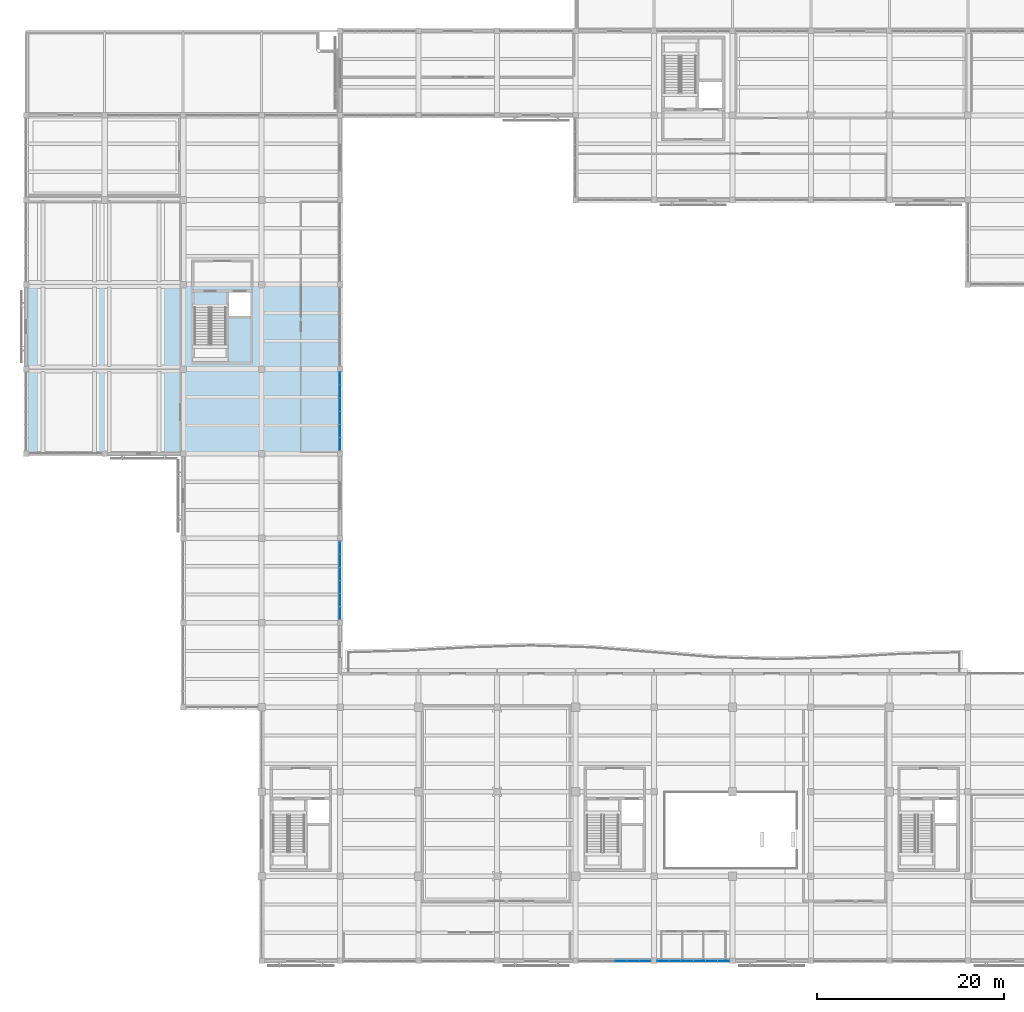
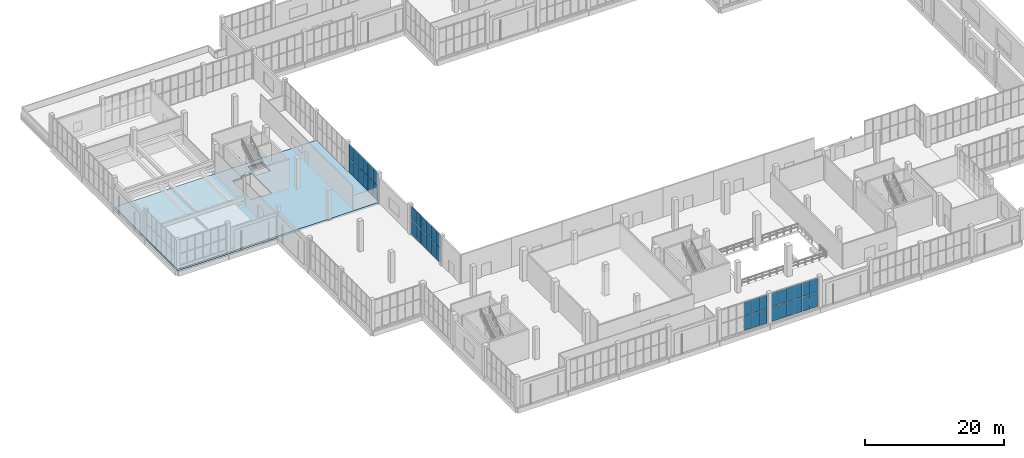
# One storey, part 97 of 132: 42 plates, 1 slab, 4 elements without a shape of their own.
"""IFC4 building model written with IfcOpenShell, lengths in metres."""

from ifc_helpers import new_model, si_unit, direction, frame, origin, origin_2d, place, context, subcontext, project, spatial, polyline, rectangle, outline, extrude, material, layer, layer_set, type_object, element, aggregate, save


model = new_model("IFC4")

# Units and contexts
model_context = context("Model", 3, precision=1e-05, world=origin(), true_north=direction((0.0, 1.0)))
body_context = subcontext(model_context, "Body", "Model", "MODEL_VIEW")
ifc_project = project(units=[si_unit("LENGTHUNIT", "METRE"), si_unit("AREAUNIT", "SQUARE_METRE"), si_unit("VOLUMEUNIT", "CUBIC_METRE"), si_unit("PLANEANGLEUNIT", "RADIAN"), si_unit("MASSUNIT", "GRAM", prefix="KILO")], contexts=[model_context])

# Site, building, storey
site_placement = place(None, origin())
site = spatial("IfcSite", under=ifc_project, at=site_placement, CompositionType="ELEMENT")
building_placement = place(site_placement, origin())
building = spatial("IfcBuilding", under=site, at=building_placement, Name="Khurvash Pelagic Aquarium", CompositionType="ELEMENT")
storey_placement = place(building_placement, frame((0.0, 0.0, 5.39990234375)))
storey = spatial("IfcBuildingStorey", under=building, at=storey_placement, Name="L01", CompositionType="ELEMENT", Elevation=5.39990234375)

# Curtain wall, plates
ifc_material_1 = material(Name="Anodised aluminium and low-E laminated glass", Category="aluminium")
curtain_wall_type_1 = type_object("IfcCurtainWallType", Name="CW-05", PredefinedType="USERDEFINED", material=ifc_material_1)
curtain_wall_1_placement = place(storey_placement, origin())
curtain_wall_1 = element("IfcCurtainWall", 1, at=curtain_wall_1_placement, inside=storey, type_object=curtain_wall_type_1, Name="L01 Facade Unitised Curtain Wall CW-05 0104", ObjectType="UNITISED CURTAIN WALL", PredefinedType="USERDEFINED")
ifc_material_2 = material(Name="Low-E laminated double glazing", Category="glass")
ifc_layer_1 = layer(ifc_material_2, 0.033935546875)
ifc_layer_set_1 = layer_set([ifc_layer_1], Name="Low-E laminated double glazing")
plate_type_1 = type_object("IfcPlateType", Name="CG-05", PredefinedType="CURTAIN_PANEL", material=ifc_layer_set_1)
plate_1_placement = place(storey_placement, frame((63.649169921875, 2.60009765625, 0.06005859375), z_axis=(0.0, 0.0, 1.0), x_axis=(1.0, 0.0, 0.0)))
plate_1 = element("IfcPlate", 2, at=plate_1_placement, type_object=plate_type_1, Name="CW-05 panel 4.1", PredefinedType="CURTAIN_PANEL", context=body_context, shape_type="SweptSolid", body=[
    extrude(rectangle(XDim=1.23828125, YDim=0.033935546875, at=origin_2d()), origin(), (0.0, 0.0, 1.0), 2.56201171875),
])
plate_2_placement = place(storey_placement, frame((63.649169921875, 2.60009765625, 2.68212890625), z_axis=(0.0, 0.0, 1.0), x_axis=(1.0, 0.0, 0.0)))
plate_2 = element("IfcPlate", 3, at=plate_2_placement, type_object=plate_type_1, Name="CW-05 panel 4.2", PredefinedType="CURTAIN_PANEL", context=body_context, shape_type="SweptSolid", body=[
    extrude(rectangle(XDim=1.23828125, YDim=0.033935546875, at=origin_2d()), origin(), (0.0, 0.0, 1.0), 2.35791015625),
])
plate_3_placement = place(storey_placement, frame((64.947509765625, 2.60009765625, 0.06005859375), z_axis=(0.0, 0.0, 1.0), x_axis=(1.0, 0.0, 0.0)))
plate_3 = element("IfcPlate", 4, at=plate_3_placement, type_object=plate_type_1, Name="CW-05 panel 5.1", PredefinedType="CURTAIN_PANEL", context=body_context, shape_type="SweptSolid", body=[
    extrude(rectangle(XDim=1.23828125, YDim=0.033935546875, at=origin_2d()), origin(), (0.0, 0.0, 1.0), 2.56201171875),
])
plate_4_placement = place(storey_placement, frame((64.947509765625, 2.60009765625, 2.68212890625), z_axis=(0.0, 0.0, 1.0), x_axis=(1.0, 0.0, 0.0)))
plate_4 = element("IfcPlate", 5, at=plate_4_placement, type_object=plate_type_1, Name="CW-05 panel 5.2", PredefinedType="CURTAIN_PANEL", context=body_context, shape_type="SweptSolid", body=[
    extrude(rectangle(XDim=1.23828125, YDim=0.033935546875, at=origin_2d()), origin(), (0.0, 0.0, 1.0), 2.35791015625),
])
plate_5_placement = place(storey_placement, frame((66.230712890625, 2.60009765625, 0.06005859375), z_axis=(0.0, 0.0, 1.0), x_axis=(1.0, 0.0, 0.0)))
plate_5 = element("IfcPlate", 6, at=plate_5_placement, type_object=plate_type_1, Name="CW-05 panel 6.1", PredefinedType="CURTAIN_PANEL", context=body_context, shape_type="SweptSolid", body=[
    extrude(rectangle(XDim=1.208251953125, YDim=0.033935546875, at=origin_2d()), origin(), (0.0, 0.0, 1.0), 2.56201171875),
])
plate_6_placement = place(storey_placement, frame((66.230712890625, 2.60009765625, 2.68212890625), z_axis=(0.0, 0.0, 1.0), x_axis=(1.0, 0.0, 0.0)))
plate_6 = element("IfcPlate", 7, at=plate_6_placement, type_object=plate_type_1, Name="CW-05 panel 6.2", PredefinedType="CURTAIN_PANEL", context=body_context, shape_type="SweptSolid", body=[
    extrude(rectangle(XDim=1.208251953125, YDim=0.033935546875, at=origin_2d()), origin(), (0.0, 0.0, 1.0), 2.35791015625),
])
aggregate(curtain_wall_1, [plate_1, plate_2, plate_3, plate_4, plate_5, plate_6])

curtain_wall_2_placement = place(storey_placement, origin())
curtain_wall_2 = element("IfcCurtainWall", 8, at=curtain_wall_2_placement, inside=storey, type_object=curtain_wall_type_1, Name="L01 Facade Unitised Curtain Wall CW-05 0105", ObjectType="UNITISED CURTAIN WALL", PredefinedType="USERDEFINED")
plate_7_placement = place(storey_placement, frame((68.169189453125, 2.60009765625, 0.06005859375), z_axis=(0.0, 0.0, 1.0), x_axis=(1.0, 0.0, 0.0)))
plate_7 = element("IfcPlate", 9, at=plate_7_placement, type_object=plate_type_1, Name="CW-05 panel 1.1", PredefinedType="CURTAIN_PANEL", context=body_context, shape_type="SweptSolid", body=[
    extrude(rectangle(XDim=1.208251953125, YDim=0.033935546875, at=origin_2d()), origin(), (0.0, 0.0, 1.0), 2.56201171875),
])
plate_8_placement = place(storey_placement, frame((68.169189453125, 2.60009765625, 2.68212890625), z_axis=(0.0, 0.0, 1.0), x_axis=(1.0, 0.0, 0.0)))
plate_8 = element("IfcPlate", 10, at=plate_8_placement, type_object=plate_type_1, Name="CW-05 panel 1.2", PredefinedType="CURTAIN_PANEL", context=body_context, shape_type="SweptSolid", body=[
    extrude(rectangle(XDim=1.208251953125, YDim=0.033935546875, at=origin_2d()), origin(), (0.0, 0.0, 1.0), 2.35791015625),
])
plate_9_placement = place(storey_placement, frame((69.452392578125, 2.60009765625, 0.06005859375), z_axis=(0.0, 0.0, 1.0), x_axis=(1.0, 0.0, 0.0)))
plate_9 = element("IfcPlate", 11, at=plate_9_placement, type_object=plate_type_1, Name="CW-05 panel 2.1", PredefinedType="CURTAIN_PANEL", context=body_context, shape_type="SweptSolid", body=[
    extrude(rectangle(XDim=1.23828125, YDim=0.033935546875, at=origin_2d()), origin(), (0.0, 0.0, 1.0), 2.56201171875),
])
plate_10_placement = place(storey_placement, frame((69.452392578125, 2.60009765625, 2.68212890625), z_axis=(0.0, 0.0, 1.0), x_axis=(1.0, 0.0, 0.0)))
plate_10 = element("IfcPlate", 12, at=plate_10_placement, type_object=plate_type_1, Name="CW-05 panel 2.2", PredefinedType="CURTAIN_PANEL", context=body_context, shape_type="SweptSolid", body=[
    extrude(rectangle(XDim=1.23828125, YDim=0.033935546875, at=origin_2d()), origin(), (0.0, 0.0, 1.0), 2.35791015625),
])
plate_11_placement = place(storey_placement, frame((70.750732421875, 2.60009765625, 0.06005859375), z_axis=(0.0, 0.0, 1.0), x_axis=(1.0, 0.0, 0.0)))
plate_11 = element("IfcPlate", 13, at=plate_11_placement, type_object=plate_type_1, Name="CW-05 panel 3.1", PredefinedType="CURTAIN_PANEL", context=body_context, shape_type="SweptSolid", body=[
    extrude(rectangle(XDim=1.23828125, YDim=0.033935546875, at=origin_2d()), origin(), (0.0, 0.0, 1.0), 2.56201171875),
])
plate_12_placement = place(storey_placement, frame((70.750732421875, 2.60009765625, 2.68212890625), z_axis=(0.0, 0.0, 1.0), x_axis=(1.0, 0.0, 0.0)))
plate_12 = element("IfcPlate", 14, at=plate_12_placement, type_object=plate_type_1, Name="CW-05 panel 3.2", PredefinedType="CURTAIN_PANEL", context=body_context, shape_type="SweptSolid", body=[
    extrude(rectangle(XDim=1.23828125, YDim=0.033935546875, at=origin_2d()), origin(), (0.0, 0.0, 1.0), 2.35791015625),
])
plate_13_placement = place(storey_placement, frame((72.049072265625, 2.60009765625, 0.06005859375), z_axis=(0.0, 0.0, 1.0), x_axis=(1.0, 0.0, 0.0)))
plate_13 = element("IfcPlate", 15, at=plate_13_placement, type_object=plate_type_1, Name="CW-05 panel 4.1", PredefinedType="CURTAIN_PANEL", context=body_context, shape_type="SweptSolid", body=[
    extrude(rectangle(XDim=1.23828125, YDim=0.033935546875, at=origin_2d()), origin(), (0.0, 0.0, 1.0), 2.56201171875),
])
plate_14_placement = place(storey_placement, frame((72.049072265625, 2.60009765625, 2.68212890625), z_axis=(0.0, 0.0, 1.0), x_axis=(1.0, 0.0, 0.0)))
plate_14 = element("IfcPlate", 16, at=plate_14_placement, type_object=plate_type_1, Name="CW-05 panel 4.2", PredefinedType="CURTAIN_PANEL", context=body_context, shape_type="SweptSolid", body=[
    extrude(rectangle(XDim=1.23828125, YDim=0.033935546875, at=origin_2d()), origin(), (0.0, 0.0, 1.0), 2.35791015625),
])
plate_15_placement = place(storey_placement, frame((73.347412109375, 2.60009765625, 0.06005859375), z_axis=(0.0, 0.0, 1.0), x_axis=(1.0, 0.0, 0.0)))
plate_15 = element("IfcPlate", 17, at=plate_15_placement, type_object=plate_type_1, Name="CW-05 panel 5.1", PredefinedType="CURTAIN_PANEL", context=body_context, shape_type="SweptSolid", body=[
    extrude(rectangle(XDim=1.23828125, YDim=0.033935546875, at=origin_2d()), origin(), (0.0, 0.0, 1.0), 2.56201171875),
])
plate_16_placement = place(storey_placement, frame((73.347412109375, 2.60009765625, 2.68212890625), z_axis=(0.0, 0.0, 1.0), x_axis=(1.0, 0.0, 0.0)))
plate_16 = element("IfcPlate", 18, at=plate_16_placement, type_object=plate_type_1, Name="CW-05 panel 5.2", PredefinedType="CURTAIN_PANEL", context=body_context, shape_type="SweptSolid", body=[
    extrude(rectangle(XDim=1.23828125, YDim=0.033935546875, at=origin_2d()), origin(), (0.0, 0.0, 1.0), 2.35791015625),
])
plate_17_placement = place(storey_placement, frame((74.630859375, 2.60009765625, 0.06005859375), z_axis=(0.0, 0.0, 1.0), x_axis=(1.0, 0.0, 0.0)))
plate_17 = element("IfcPlate", 19, at=plate_17_placement, type_object=plate_type_1, Name="CW-05 panel 6.1", PredefinedType="CURTAIN_PANEL", context=body_context, shape_type="SweptSolid", body=[
    extrude(rectangle(XDim=1.208251953125, YDim=0.033935546875, at=origin_2d()), origin(), (0.0, 0.0, 1.0), 2.56201171875),
])
plate_18_placement = place(storey_placement, frame((74.630859375, 2.60009765625, 2.68212890625), z_axis=(0.0, 0.0, 1.0), x_axis=(1.0, 0.0, 0.0)))
plate_18 = element("IfcPlate", 20, at=plate_18_placement, type_object=plate_type_1, Name="CW-05 panel 6.2", PredefinedType="CURTAIN_PANEL", context=body_context, shape_type="SweptSolid", body=[
    extrude(rectangle(XDim=1.208251953125, YDim=0.033935546875, at=origin_2d()), origin(), (0.0, 0.0, 1.0), 2.35791015625),
])
aggregate(curtain_wall_2, [plate_7, plate_8, plate_9, plate_10, plate_11, plate_12, plate_13, plate_14, plate_15, plate_16, plate_17, plate_18])

curtain_wall_type_2 = type_object("IfcCurtainWallType", Name="CW-06", PredefinedType="USERDEFINED", material=ifc_material_1)
curtain_wall_3_placement = place(storey_placement, origin())
curtain_wall_3 = element("IfcCurtainWall", 21, at=curtain_wall_3_placement, inside=storey, type_object=curtain_wall_type_2, Name="L01 Facade Unitised Curtain Wall CW-06 0131", ObjectType="UNITISED CURTAIN WALL", PredefinedType="USERDEFINED")
ifc_layer_2 = layer(ifc_material_2, 0.030029296875)
ifc_layer_set_2 = layer_set([ifc_layer_2], Name="Low-E laminated double glazing")
plate_type_2 = type_object("IfcPlateType", Name="CG-06", PredefinedType="CURTAIN_PANEL", material=ifc_layer_set_2)
plate_19_placement = place(storey_placement, frame((33.60009765625, 57.92333984375, 0.06005859375), z_axis=(0.0, 0.0, 1.0), x_axis=(0.0, 1.0, 0.0)))
plate_19 = element("IfcPlate", 22, at=plate_19_placement, type_object=plate_type_2, Name="CW-06 panel 1.1", PredefinedType="CURTAIN_PANEL", context=body_context, shape_type="SweptSolid", body=[
    extrude(rectangle(XDim=1.316650390625, YDim=0.030029296875, at=origin_2d()), origin(), (0.0, 0.0, 1.0), 2.56201171875),
])
plate_20_placement = place(storey_placement, frame((33.60009765625, 57.92333984375, 2.68212890625), z_axis=(0.0, 0.0, 1.0), x_axis=(0.0, 1.0, 0.0)))
plate_20 = element("IfcPlate", 23, at=plate_20_placement, type_object=plate_type_2, Name="CW-06 panel 1.2", PredefinedType="CURTAIN_PANEL", context=body_context, shape_type="SweptSolid", body=[
    extrude(rectangle(XDim=1.316650390625, YDim=0.030029296875, at=origin_2d()), origin(), (0.0, 0.0, 1.0), 2.35791015625),
])
plate_21_placement = place(storey_placement, frame((33.60009765625, 59.31494140625, 0.06005859375), z_axis=(0.0, 0.0, 1.0), x_axis=(0.0, 1.0, 0.0)))
plate_21 = element("IfcPlate", 24, at=plate_21_placement, type_object=plate_type_2, Name="CW-06 panel 2.1", PredefinedType="CURTAIN_PANEL", context=body_context, shape_type="SweptSolid", body=[
    extrude(rectangle(XDim=1.3466796875, YDim=0.030029296875, at=origin_2d()), origin(), (0.0, 0.0, 1.0), 2.56201171875),
])
plate_22_placement = place(storey_placement, frame((33.60009765625, 59.31494140625, 2.68212890625), z_axis=(0.0, 0.0, 1.0), x_axis=(0.0, 1.0, 0.0)))
plate_22 = element("IfcPlate", 25, at=plate_22_placement, type_object=plate_type_2, Name="CW-06 panel 2.2", PredefinedType="CURTAIN_PANEL", context=body_context, shape_type="SweptSolid", body=[
    extrude(rectangle(XDim=1.3466796875, YDim=0.030029296875, at=origin_2d()), origin(), (0.0, 0.0, 1.0), 2.35791015625),
])
plate_23_placement = place(storey_placement, frame((33.60009765625, 60.7216796875, 0.06005859375), z_axis=(0.0, 0.0, 1.0), x_axis=(0.0, 1.0, 0.0)))
plate_23 = element("IfcPlate", 26, at=plate_23_placement, type_object=plate_type_2, Name="CW-06 panel 3.1", PredefinedType="CURTAIN_PANEL", context=body_context, shape_type="SweptSolid", body=[
    extrude(rectangle(XDim=1.3466796875, YDim=0.030029296875, at=origin_2d()), origin(), (0.0, 0.0, 1.0), 2.56201171875),
])
plate_24_placement = place(storey_placement, frame((33.60009765625, 60.7216796875, 2.68212890625), z_axis=(0.0, 0.0, 1.0), x_axis=(0.0, 1.0, 0.0)))
plate_24 = element("IfcPlate", 27, at=plate_24_placement, type_object=plate_type_2, Name="CW-06 panel 3.2", PredefinedType="CURTAIN_PANEL", context=body_context, shape_type="SweptSolid", body=[
    extrude(rectangle(XDim=1.3466796875, YDim=0.030029296875, at=origin_2d()), origin(), (0.0, 0.0, 1.0), 2.35791015625),
])
plate_25_placement = place(storey_placement, frame((33.60009765625, 62.12841796875, 0.06005859375), z_axis=(0.0, 0.0, 1.0), x_axis=(0.0, 1.0, 0.0)))
plate_25 = element("IfcPlate", 28, at=plate_25_placement, type_object=plate_type_2, Name="CW-06 panel 4.1", PredefinedType="CURTAIN_PANEL", context=body_context, shape_type="SweptSolid", body=[
    extrude(rectangle(XDim=1.3466796875, YDim=0.030029296875, at=origin_2d()), origin(), (0.0, 0.0, 1.0), 2.56201171875),
])
plate_26_placement = place(storey_placement, frame((33.60009765625, 62.12841796875, 2.68212890625), z_axis=(0.0, 0.0, 1.0), x_axis=(0.0, 1.0, 0.0)))
plate_26 = element("IfcPlate", 29, at=plate_26_placement, type_object=plate_type_2, Name="CW-06 panel 4.2", PredefinedType="CURTAIN_PANEL", context=body_context, shape_type="SweptSolid", body=[
    extrude(rectangle(XDim=1.3466796875, YDim=0.030029296875, at=origin_2d()), origin(), (0.0, 0.0, 1.0), 2.35791015625),
])
plate_27_placement = place(storey_placement, frame((33.60009765625, 63.534912109375, 0.06005859375), z_axis=(0.0, 0.0, 1.0), x_axis=(0.0, 1.0, 0.0)))
plate_27 = element("IfcPlate", 30, at=plate_27_placement, type_object=plate_type_2, Name="CW-06 panel 5.1", PredefinedType="CURTAIN_PANEL", context=body_context, shape_type="SweptSolid", body=[
    extrude(rectangle(XDim=1.3466796875, YDim=0.030029296875, at=origin_2d()), origin(), (0.0, 0.0, 1.0), 2.56201171875),
])
plate_28_placement = place(storey_placement, frame((33.60009765625, 63.534912109375, 2.68212890625), z_axis=(0.0, 0.0, 1.0), x_axis=(0.0, 1.0, 0.0)))
plate_28 = element("IfcPlate", 31, at=plate_28_placement, type_object=plate_type_2, Name="CW-06 panel 5.2", PredefinedType="CURTAIN_PANEL", context=body_context, shape_type="SweptSolid", body=[
    extrude(rectangle(XDim=1.3466796875, YDim=0.030029296875, at=origin_2d()), origin(), (0.0, 0.0, 1.0), 2.35791015625),
])
plate_29_placement = place(storey_placement, frame((33.60009765625, 64.9267578125, 0.06005859375), z_axis=(0.0, 0.0, 1.0), x_axis=(0.0, 1.0, 0.0)))
plate_29 = element("IfcPlate", 32, at=plate_29_placement, type_object=plate_type_2, Name="CW-06 panel 6.1", PredefinedType="CURTAIN_PANEL", context=body_context, shape_type="SweptSolid", body=[
    extrude(rectangle(XDim=1.316650390625, YDim=0.030029296875, at=origin_2d()), origin(), (0.0, 0.0, 1.0), 2.56201171875),
])
plate_30_placement = place(storey_placement, frame((33.60009765625, 64.9267578125, 2.68212890625), z_axis=(0.0, 0.0, 1.0), x_axis=(0.0, 1.0, 0.0)))
plate_30 = element("IfcPlate", 33, at=plate_30_placement, type_object=plate_type_2, Name="CW-06 panel 6.2", PredefinedType="CURTAIN_PANEL", context=body_context, shape_type="SweptSolid", body=[
    extrude(rectangle(XDim=1.316650390625, YDim=0.030029296875, at=origin_2d()), origin(), (0.0, 0.0, 1.0), 2.35791015625),
])
aggregate(curtain_wall_3, [plate_19, plate_20, plate_21, plate_22, plate_23, plate_24, plate_25, plate_26, plate_27, plate_28, plate_29, plate_30])

curtain_wall_4_placement = place(storey_placement, origin())
curtain_wall_4 = element("IfcCurtainWall", 34, at=curtain_wall_4_placement, inside=storey, type_object=curtain_wall_type_2, Name="L01 Facade Unitised Curtain Wall CW-06 0148", ObjectType="UNITISED CURTAIN WALL", PredefinedType="USERDEFINED")
plate_31_placement = place(storey_placement, frame((33.60009765625, 39.8232421875, 0.06005859375), z_axis=(0.0, 0.0, 1.0), x_axis=(0.0, 1.0, 0.0)))
plate_31 = element("IfcPlate", 35, at=plate_31_placement, type_object=plate_type_2, Name="CW-06 panel 1.1", PredefinedType="CURTAIN_PANEL", context=body_context, shape_type="SweptSolid", body=[
    extrude(rectangle(XDim=1.316650390625, YDim=0.030029296875, at=origin_2d()), origin(), (0.0, 0.0, 1.0), 2.56201171875),
])
plate_32_placement = place(storey_placement, frame((33.60009765625, 39.8232421875, 2.68212890625), z_axis=(0.0, 0.0, 1.0), x_axis=(0.0, 1.0, 0.0)))
plate_32 = element("IfcPlate", 36, at=plate_32_placement, type_object=plate_type_2, Name="CW-06 panel 1.2", PredefinedType="CURTAIN_PANEL", context=body_context, shape_type="SweptSolid", body=[
    extrude(rectangle(XDim=1.316650390625, YDim=0.030029296875, at=origin_2d()), origin(), (0.0, 0.0, 1.0), 2.35791015625),
])
plate_33_placement = place(storey_placement, frame((33.60009765625, 41.215087890625, 0.06005859375), z_axis=(0.0, 0.0, 1.0), x_axis=(0.0, 1.0, 0.0)))
plate_33 = element("IfcPlate", 37, at=plate_33_placement, type_object=plate_type_2, Name="CW-06 panel 2.1", PredefinedType="CURTAIN_PANEL", context=body_context, shape_type="SweptSolid", body=[
    extrude(rectangle(XDim=1.3466796875, YDim=0.030029296875, at=origin_2d()), origin(), (0.0, 0.0, 1.0), 2.56201171875),
])
plate_34_placement = place(storey_placement, frame((33.60009765625, 41.215087890625, 2.68212890625), z_axis=(0.0, 0.0, 1.0), x_axis=(0.0, 1.0, 0.0)))
plate_34 = element("IfcPlate", 38, at=plate_34_placement, type_object=plate_type_2, Name="CW-06 panel 2.2", PredefinedType="CURTAIN_PANEL", context=body_context, shape_type="SweptSolid", body=[
    extrude(rectangle(XDim=1.3466796875, YDim=0.030029296875, at=origin_2d()), origin(), (0.0, 0.0, 1.0), 2.35791015625),
])
plate_35_placement = place(storey_placement, frame((33.60009765625, 42.62158203125, 0.06005859375), z_axis=(0.0, 0.0, 1.0), x_axis=(0.0, 1.0, 0.0)))
plate_35 = element("IfcPlate", 39, at=plate_35_placement, type_object=plate_type_2, Name="CW-06 panel 3.1", PredefinedType="CURTAIN_PANEL", context=body_context, shape_type="SweptSolid", body=[
    extrude(rectangle(XDim=1.3466796875, YDim=0.030029296875, at=origin_2d()), origin(), (0.0, 0.0, 1.0), 2.56201171875),
])
plate_36_placement = place(storey_placement, frame((33.60009765625, 42.62158203125, 2.68212890625), z_axis=(0.0, 0.0, 1.0), x_axis=(0.0, 1.0, 0.0)))
plate_36 = element("IfcPlate", 40, at=plate_36_placement, type_object=plate_type_2, Name="CW-06 panel 3.2", PredefinedType="CURTAIN_PANEL", context=body_context, shape_type="SweptSolid", body=[
    extrude(rectangle(XDim=1.3466796875, YDim=0.030029296875, at=origin_2d()), origin(), (0.0, 0.0, 1.0), 2.35791015625),
])
plate_37_placement = place(storey_placement, frame((33.60009765625, 44.0283203125, 0.06005859375), z_axis=(0.0, 0.0, 1.0), x_axis=(0.0, 1.0, 0.0)))
plate_37 = element("IfcPlate", 41, at=plate_37_placement, type_object=plate_type_2, Name="CW-06 panel 4.1", PredefinedType="CURTAIN_PANEL", context=body_context, shape_type="SweptSolid", body=[
    extrude(rectangle(XDim=1.3466796875, YDim=0.030029296875, at=origin_2d()), origin(), (0.0, 0.0, 1.0), 2.56201171875),
])
plate_38_placement = place(storey_placement, frame((33.60009765625, 44.0283203125, 2.68212890625), z_axis=(0.0, 0.0, 1.0), x_axis=(0.0, 1.0, 0.0)))
plate_38 = element("IfcPlate", 42, at=plate_38_placement, type_object=plate_type_2, Name="CW-06 panel 4.2", PredefinedType="CURTAIN_PANEL", context=body_context, shape_type="SweptSolid", body=[
    extrude(rectangle(XDim=1.3466796875, YDim=0.030029296875, at=origin_2d()), origin(), (0.0, 0.0, 1.0), 2.35791015625),
])
plate_39_placement = place(storey_placement, frame((33.60009765625, 45.43505859375, 0.06005859375), z_axis=(0.0, 0.0, 1.0), x_axis=(0.0, 1.0, 0.0)))
plate_39 = element("IfcPlate", 43, at=plate_39_placement, type_object=plate_type_2, Name="CW-06 panel 5.1", PredefinedType="CURTAIN_PANEL", context=body_context, shape_type="SweptSolid", body=[
    extrude(rectangle(XDim=1.3466796875, YDim=0.030029296875, at=origin_2d()), origin(), (0.0, 0.0, 1.0), 2.56201171875),
])
plate_40_placement = place(storey_placement, frame((33.60009765625, 45.43505859375, 2.68212890625), z_axis=(0.0, 0.0, 1.0), x_axis=(0.0, 1.0, 0.0)))
plate_40 = element("IfcPlate", 44, at=plate_40_placement, type_object=plate_type_2, Name="CW-06 panel 5.2", PredefinedType="CURTAIN_PANEL", context=body_context, shape_type="SweptSolid", body=[
    extrude(rectangle(XDim=1.3466796875, YDim=0.030029296875, at=origin_2d()), origin(), (0.0, 0.0, 1.0), 2.35791015625),
])
plate_41_placement = place(storey_placement, frame((33.60009765625, 46.82666015625, 0.06005859375), z_axis=(0.0, 0.0, 1.0), x_axis=(0.0, 1.0, 0.0)))
plate_41 = element("IfcPlate", 45, at=plate_41_placement, type_object=plate_type_2, Name="CW-06 panel 6.1", PredefinedType="CURTAIN_PANEL", context=body_context, shape_type="SweptSolid", body=[
    extrude(rectangle(XDim=1.316650390625, YDim=0.030029296875, at=origin_2d()), origin(), (0.0, 0.0, 1.0), 2.56201171875),
])
plate_42_placement = place(storey_placement, frame((33.60009765625, 46.82666015625, 2.68212890625), z_axis=(0.0, 0.0, 1.0), x_axis=(0.0, 1.0, 0.0)))
plate_42 = element("IfcPlate", 46, at=plate_42_placement, type_object=plate_type_2, Name="CW-06 panel 6.2", PredefinedType="CURTAIN_PANEL", context=body_context, shape_type="SweptSolid", body=[
    extrude(rectangle(XDim=1.316650390625, YDim=0.030029296875, at=origin_2d()), origin(), (0.0, 0.0, 1.0), 2.35791015625),
])
aggregate(curtain_wall_4, [plate_31, plate_32, plate_33, plate_34, plate_35, plate_36, plate_37, plate_38, plate_39, plate_40, plate_41, plate_42])

# Slab
ifc_material_3 = material(Name="Concrete C40/50", Category="concrete")
ifc_layer_3 = layer(ifc_material_3, 0.31005859375)
ifc_layer_set_3 = layer_set([ifc_layer_3], Name="Concrete C40/50")
slab_type = type_object("IfcSlabType", Name="FS-310", PredefinedType="FLOOR", material=ifc_layer_set_3)
slab_placement = place(storey_placement, frame((0.0, 0.0, -0.309814453125)))
element("IfcSlab", 47, at=slab_placement, inside=storey, type_object=slab_type, Name="L01 Structural Floor Slab FS-310 V4_WEST.1", PredefinedType="FLOOR", context=body_context, shape_type="SweptSolid", body=[
    extrude(outline(polyline([(0.0, 56.89990234375), (33.60009765625, 56.89990234375), (33.60009765625, 75.0), (0.0, 75.0), (0.0, 56.89990234375)]), holes=[polyline([(19.60009765625, 72.550048828125), (21.39990234375, 72.550048828125), (21.39990234375, 66.75), (18.0, 66.75), (18.0, 72.169921875), (19.60009765625, 72.169921875), (19.60009765625, 72.550048828125)]), polyline([(24.0, 71.64990234375), (21.699951171875, 71.64990234375), (21.699951171875, 74.14990234375), (24.0, 74.14990234375), (24.0, 71.64990234375)])]), origin(), (0.0, 0.0, 1.0), 0.309814453125),
])

save(model, "model.ifc")
